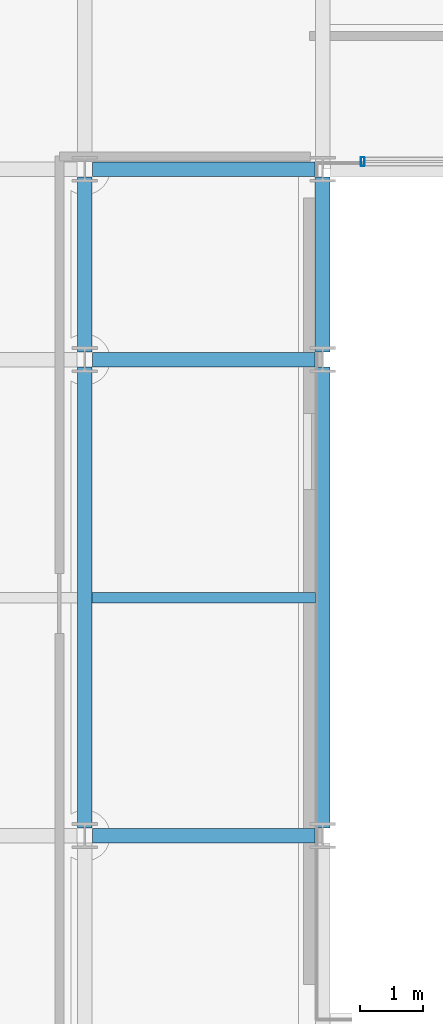
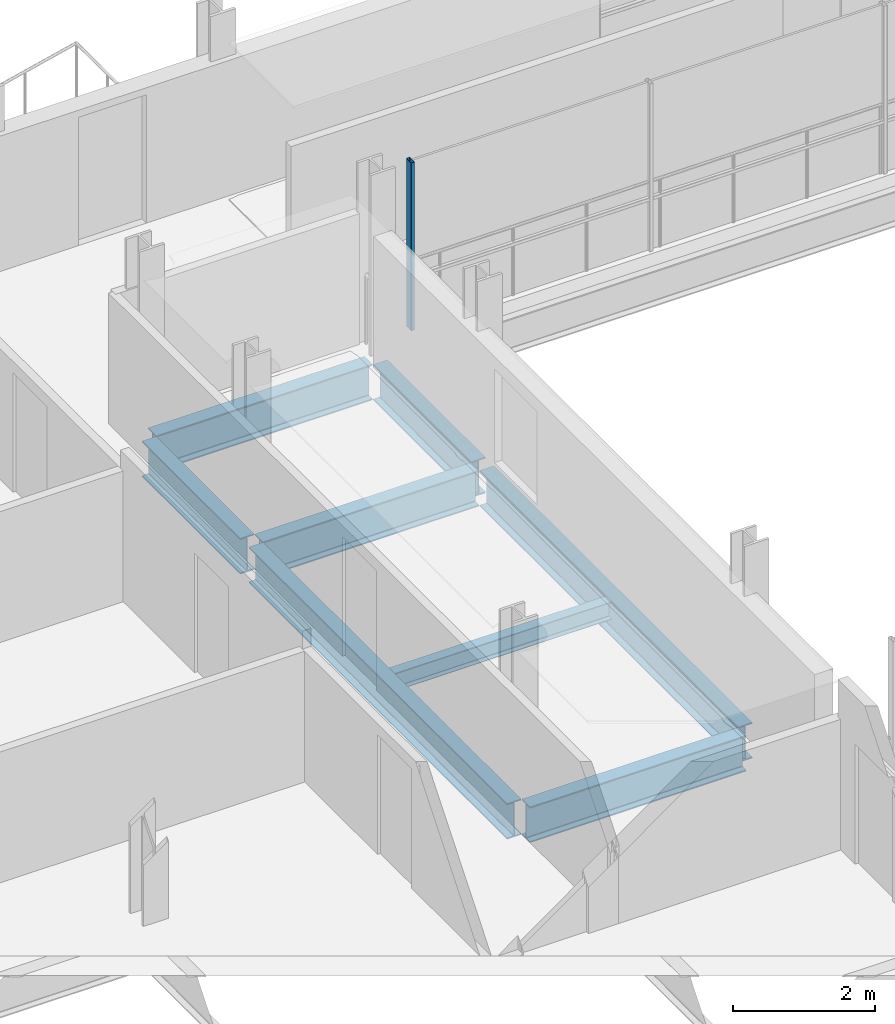
# One storey, part 10 of 40: 8 beams, 1 member, 1 element without a shape of its own.
"""IFC4 building model written with IfcOpenShell, lengths in metres."""

from ifc_helpers import new_model, si_unit, direction, frame, origin, origin_2d, place, context, subcontext, project, spatial, hollow_rectangle, i_section, extrude, material, layer, layer_set, material_profile, profile_set, type_object, element, aggregate, save


model = new_model("IFC4")

# Units and contexts
model_context = context("Model", 3, precision=1e-05, world=origin(), true_north=direction((0.0, 1.0)))
body_context = subcontext(model_context, "Body", "Model", "MODEL_VIEW")
ifc_project = project(units=[si_unit("LENGTHUNIT", "METRE"), si_unit("AREAUNIT", "SQUARE_METRE"), si_unit("VOLUMEUNIT", "CUBIC_METRE"), si_unit("PLANEANGLEUNIT", "RADIAN"), si_unit("MASSUNIT", "GRAM", prefix="KILO")], contexts=[model_context])

# Site, building, storey
site_placement = place(None, origin())
site = spatial("IfcSite", under=ifc_project, at=site_placement, CompositionType="ELEMENT")
building_placement = place(site_placement, origin())
building = spatial("IfcBuilding", under=site, at=building_placement, Name="Brevholm Reach", CompositionType="ELEMENT")
storey_placement = place(building_placement, frame((0.0, 0.0, 148.0)))
storey = spatial("IfcBuildingStorey", under=building, at=storey_placement, Name="L44", CompositionType="ELEMENT", Elevation=148.0)

# Beams
ifc_material_1 = material(Name="Structural Steel S355J2", Category="steel")
ifc_material_profile_1 = material_profile(ifc_material_1, i_section(OverallWidth=0.1650390625, OverallDepth=0.303466796875, WebThickness=0.006103515625, FlangeThickness=0.01025390625, FilletRadius=0.0087890625, at=origin_2d()), Name="UKB 305x165x40")
ifc_profile_set_1 = profile_set([ifc_material_profile_1], Name="Structural Steel S355J2")
beam_type_1 = type_object("IfcBeamType", Name="BM-B305", PredefinedType="BEAM", material=ifc_profile_set_1)
beam_1_placement = place(storey_placement, frame((18.114501953125, 19.75, -0.37158203125), z_axis=(1.0, 0.0, 0.0), x_axis=(0.0, 1.0, 0.0)))
element("IfcBeam", 1, at=beam_1_placement, inside=storey, type_object=beam_type_1, Name="L44 Composite Secondary Floor Beam", PredefinedType="BEAM", context=body_context, shape_type="SweptSolid", body=[
    extrude(i_section(OverallWidth=0.1650390625, OverallDepth=0.303466796875, WebThickness=0.006103515625, FlangeThickness=0.01025390625, FilletRadius=0.0087890625, at=origin_2d()), origin(), (0.0, 0.0, 1.0), 3.52099609375),
])
ifc_material_2 = material(Name="Structural Steel S355J2", Category="steel")
ifc_material_profile_2 = material_profile(ifc_material_2, i_section(OverallWidth=0.22900390625, OverallDepth=0.6123046875, WebThickness=0.011962890625, FlangeThickness=0.01953125, FilletRadius=0.0126953125, at=origin_2d()), Name="UKB 610x229x125")
ifc_profile_set_2 = profile_set([ifc_material_profile_2], Name="Structural Steel S355J2")
beam_type_2 = type_object("IfcBeamType", Name="BM-SP610", PredefinedType="SPANDREL", material=ifc_profile_set_2)
for number, where, z_axis, x_axis, name in (
    (2, (18.1201171875, 16.0, -0.526123046875), (1.0, 0.0, 0.0), (0.0, 1.0, 0.0), "L44 SP-01 Framing Beam"),
    (3, (18.1201171875, 23.5, -0.526123046875), (1.0, 0.0, 0.0), (0.0, 1.0, 0.0), "L44 SP-01 Framing Beam"),
    (4, (18.1201171875, 26.5, -0.526123046875), (1.0, 0.0, 0.0), (0.0, 1.0, 0.0), "L44 SP-01 Framing Beam"),
):
    element("IfcBeam", number, at=place(storey_placement, frame(where, z_axis=z_axis, x_axis=x_axis)), inside=storey, type_object=beam_type_2, Name=name, PredefinedType="SPANDREL", context=body_context, shape_type="SweptSolid", body=[
        extrude(i_section(OverallWidth=0.22900390625, OverallDepth=0.6123046875, WebThickness=0.011962890625, FlangeThickness=0.01953125, FilletRadius=0.0126953125, at=origin_2d()), origin(), (0.0, 0.0, 1.0), 3.509765625),
    ])
beam_2_placement = place(storey_placement, frame((18.0, 16.1201171875, -0.526123046875), z_axis=(0.0, 1.0, 0.0), x_axis=(-1.0, 0.0, 0.0)))
element("IfcBeam", 5, at=beam_2_placement, inside=storey, type_object=beam_type_2, Name="L44 SP-01 Framing Beam", PredefinedType="SPANDREL", context=body_context, shape_type="SweptSolid", body=[
    extrude(i_section(OverallWidth=0.22900390625, OverallDepth=0.6123046875, WebThickness=0.011962890625, FlangeThickness=0.01953125, FilletRadius=0.0126953125, at=origin_2d()), origin(), (0.0, 0.0, 1.0), 7.259765625),
])
beam_3_placement = place(storey_placement, frame((18.0, 23.6201171875, -0.526123046875), z_axis=(0.0, 1.0, 0.0), x_axis=(-1.0, 0.0, 0.0)))
element("IfcBeam", 6, at=beam_3_placement, inside=storey, type_object=beam_type_2, Name="L44 SP-01 Framing Beam", PredefinedType="SPANDREL", context=body_context, shape_type="SweptSolid", body=[
    extrude(i_section(OverallWidth=0.22900390625, OverallDepth=0.6123046875, WebThickness=0.011962890625, FlangeThickness=0.01953125, FilletRadius=0.0126953125, at=origin_2d()), origin(), (0.0, 0.0, 1.0), 2.759765625),
])
beam_4_placement = place(storey_placement, frame((21.75, 16.1201171875, -0.526123046875), z_axis=(0.0, 1.0, 0.0), x_axis=(-1.0, 0.0, 0.0)))
element("IfcBeam", 7, at=beam_4_placement, inside=storey, type_object=beam_type_2, Name="L44 SP-01 Framing Beam", PredefinedType="SPANDREL", context=body_context, shape_type="SweptSolid", body=[
    extrude(i_section(OverallWidth=0.22900390625, OverallDepth=0.6123046875, WebThickness=0.011962890625, FlangeThickness=0.01953125, FilletRadius=0.0126953125, at=origin_2d()), origin(), (0.0, 0.0, 1.0), 7.259765625),
])
beam_5_placement = place(storey_placement, frame((21.75, 23.6201171875, -0.526123046875), z_axis=(0.0, 1.0, 0.0), x_axis=(-1.0, 0.0, 0.0)))
element("IfcBeam", 8, at=beam_5_placement, inside=storey, type_object=beam_type_2, Name="L44 SP-01 Framing Beam", PredefinedType="SPANDREL", context=body_context, shape_type="SweptSolid", body=[
    extrude(i_section(OverallWidth=0.22900390625, OverallDepth=0.6123046875, WebThickness=0.011962890625, FlangeThickness=0.01953125, FilletRadius=0.0126953125, at=origin_2d()), origin(), (0.0, 0.0, 1.0), 2.759765625),
])

# Curtain wall, member
ifc_material_3 = material(Name="Dark Anodised Aluminium 6063-T6 and Solar-Control Glass", Category="aluminium")
ifc_layer = layer(ifc_material_3, 0.139892578125)
ifc_layer_set = layer_set([ifc_layer], Name="Dark Anodised Aluminium 6063-T6 and Solar-Control Glass")
curtain_wall_type = type_object("IfcCurtainWallType", Name="CW-02", PredefinedType="NOTDEFINED", material=ifc_layer_set)
curtain_wall_placement = place(storey_placement, origin())
curtain_wall = element("IfcCurtainWall", 9, at=curtain_wall_placement, inside=storey, type_object=curtain_wall_type, Name="L44 Curtain Wall CW-02", PredefinedType="NOTDEFINED")
ifc_material_4 = material(Name="Dark Anodised Aluminium 6063-T6", Category="aluminium")
ifc_material_profile_3 = material_profile(ifc_material_4, hollow_rectangle(XDim=0.06005859375, YDim=0.139892578125, WallThickness=0.0048828125, InnerFilletRadius=0.0048828125, OuterFilletRadius=0.010009765625, at=origin_2d()), Name="RHS 140x60x5")
ifc_profile_set_3 = profile_set([ifc_material_profile_3], Name="Dark Anodised Aluminium 6063-T6")
member_type = type_object("IfcMemberType", Name="CWM-140", PredefinedType="MULLION", material=ifc_profile_set_3)
member_placement = place(storey_placement, frame((22.3798828125, 26.6201171875, 0.0), z_axis=(0.0, 0.0, 1.0), x_axis=(-1.0, 0.0, 0.0)))
member = element("IfcMember", 10, at=member_placement, type_object=member_type, Name="CM-140 Mullion 5", PredefinedType="MULLION", context=body_context, shape_type="SweptSolid", body=[
    extrude(hollow_rectangle(XDim=0.06005859375, YDim=0.139892578125, WallThickness=0.0048828125, InnerFilletRadius=0.0048828125, OuterFilletRadius=0.010009765625, at=origin_2d()), origin(), (0.0, 0.0, 1.0), 2.8798828125),
])
aggregate(curtain_wall, [member])

save(model, "model.ifc")
